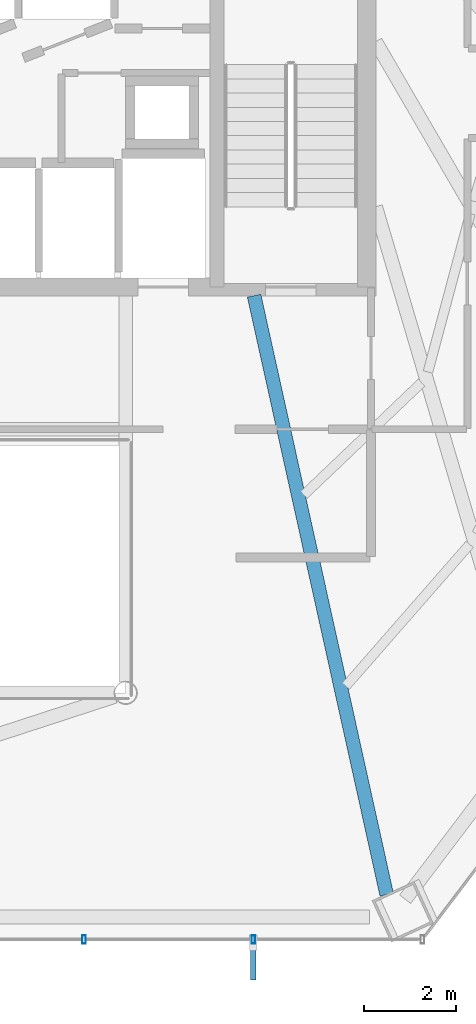
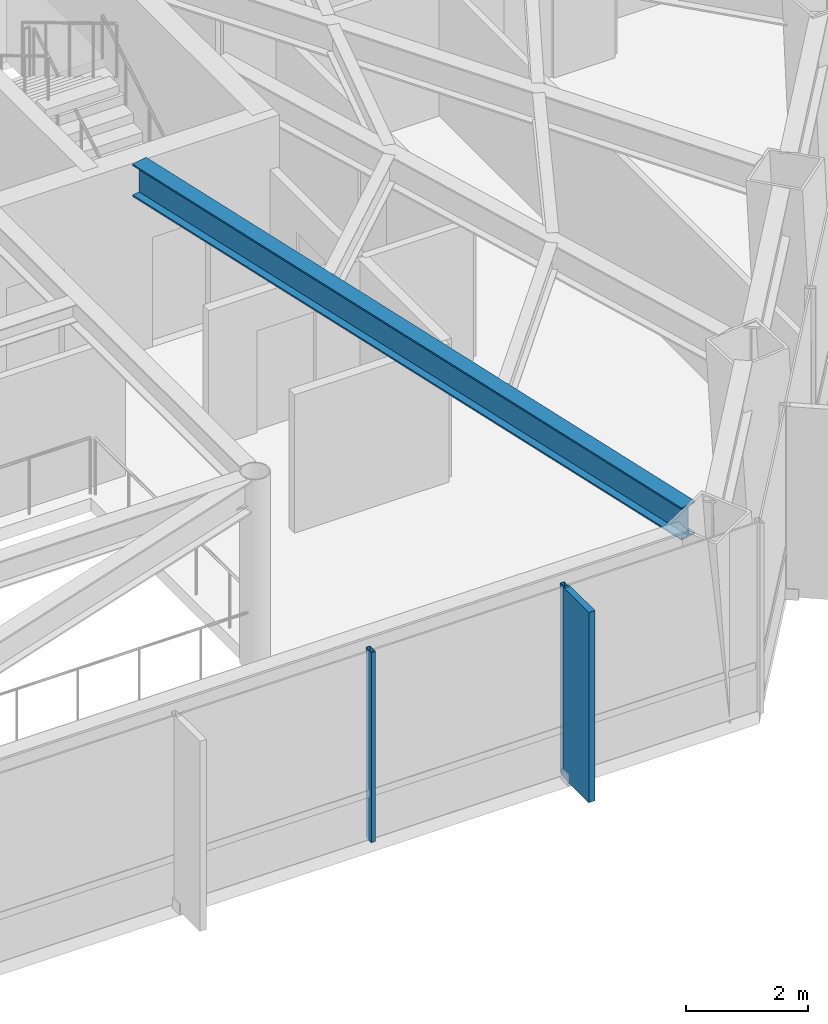
# One storey, part 10 of 27: 3 members, 1 beam, 1 element without a shape of its own.
"""IFC4 building model written with IfcOpenShell, lengths in metres."""

from ifc_helpers import new_model, si_unit, direction, frame, origin, origin_2d, place, context, subcontext, project, spatial, rectangle, hollow_rectangle, i_section, extrude, material, layer, layer_set, material_profile, profile_set, type_object, element, aggregate, save


model = new_model("IFC4")

# Units and contexts
model_context = context("Model", 3, precision=1e-05, world=origin(), true_north=direction((0.0, 1.0)))
body_context = subcontext(model_context, "Body", "Model", "MODEL_VIEW")
ifc_project = project(units=[si_unit("LENGTHUNIT", "METRE"), si_unit("AREAUNIT", "SQUARE_METRE"), si_unit("VOLUMEUNIT", "CUBIC_METRE"), si_unit("PLANEANGLEUNIT", "RADIAN"), si_unit("MASSUNIT", "GRAM", prefix="KILO")], contexts=[model_context])

# Site, building, storey
site_placement = place(None, origin())
site = spatial("IfcSite", under=ifc_project, at=site_placement, CompositionType="ELEMENT")
building_placement = place(site_placement, origin())
building = spatial("IfcBuilding", under=site, at=building_placement, Name="Zarrinselat Tower", CompositionType="ELEMENT")
storey_placement = place(building_placement, frame((0.0, 0.0, 47.93994140625)))
storey = spatial("IfcBuildingStorey", under=building, at=storey_placement, Name="L11", CompositionType="ELEMENT", Elevation=47.93994140625)

# Beam
ifc_material_1 = material(Name="Steel S355J2", Category="steel")
ifc_material_profile_1 = material_profile(ifc_material_1, i_section(OverallWidth=0.300048828125, OverallDepth=0.64990234375, WebThickness=0.01611328125, FlangeThickness=0.031005859375, at=origin_2d()), Name="HEB 650")
ifc_profile_set_1 = profile_set([ifc_material_profile_1], Name="Steel S355J2")
beam_type = type_object("IfcBeamType", Name="BM-HEB650", PredefinedType="BEAM", material=ifc_profile_set_1)
beam_placement = place(storey_placement, frame((45.800048828125, 33.06005859375, 3.4951171875), z_axis=(0.216165007623, -0.976356845359, 0.0), x_axis=(0.976356845359, 0.216165007623, 0.0)))
element("IfcBeam", 1, at=beam_placement, inside=storey, type_object=beam_type, Name="L11 Radial Primary Girder RG11", PredefinedType="BEAM", context=body_context, shape_type="SweptSolid", body=[
    extrude(i_section(OverallWidth=0.300048828125, OverallDepth=0.64990234375, WebThickness=0.01611328125, FlangeThickness=0.031005859375, at=origin_2d()), origin(), (0.0, 0.0, 1.0), 13.37451171875),
])

# Curtain wall, members
ifc_material_2 = material(Name="Extruded Aluminium Alloy EN AW-6063 T6", Category="aluminium")
ifc_layer = layer(ifc_material_2, 0.18505859375)
ifc_layer_set = layer_set([ifc_layer], Name="Extruded Aluminium Alloy EN AW-6063 T6")
curtain_wall_type = type_object("IfcCurtainWallType", Name="CWS-OFF", PredefinedType="NOTDEFINED", material=ifc_layer_set)
curtain_wall_placement = place(storey_placement, origin())
curtain_wall = element("IfcCurtainWall", 2, at=curtain_wall_placement, inside=storey, type_object=curtain_wall_type, Name="L11 Unitised Curtain Wall CW-L11-E04", PredefinedType="NOTDEFINED")
ifc_material_3 = material(Name="Extruded Aluminium Alloy EN AW-6063 T6", Category="aluminium")
ifc_material_profile_2 = material_profile(ifc_material_3, hollow_rectangle(XDim=0.080078125, YDim=0.179931640625, WallThickness=0.0048828125, at=origin_2d()), Name="RHS 180x80x5")
ifc_profile_set_2 = profile_set([ifc_material_profile_2], Name="Extruded Aluminium Alloy EN AW-6063 T6")
member_type_1 = type_object("IfcMemberType", Name="MEM-CW-MUL", PredefinedType="MULLION", material=ifc_profile_set_2)
member_1_placement = place(storey_placement, frame((42.091552734375, 19.02294921875, 0.0), z_axis=(0.0, 0.0, 1.0), x_axis=(1.0, 0.0, 0.0)))
member_1 = element("IfcMember", 3, at=member_1_placement, type_object=member_type_1, Name="CW-L11-E04 Mullion 4", PredefinedType="MULLION", context=body_context, shape_type="SweptSolid", body=[
    extrude(hollow_rectangle(XDim=0.080078125, YDim=0.179931640625, WallThickness=0.0048828125, at=origin_2d()), origin(), (0.0, 0.0, 1.0), 3.820068359375),
])
member_2_placement = place(storey_placement, frame((45.783203125, 19.02294921875, 0.0), z_axis=(0.0, 0.0, 1.0), x_axis=(1.0, 0.0, 0.0)))
member_2 = element("IfcMember", 4, at=member_2_placement, type_object=member_type_1, Name="CW-L11-E04 Mullion 5", PredefinedType="MULLION", context=body_context, shape_type="SweptSolid", body=[
    extrude(hollow_rectangle(XDim=0.080078125, YDim=0.179931640625, WallThickness=0.0048828125, at=origin_2d()), origin(), (0.0, 0.0, 1.0), 3.820068359375),
])
ifc_material_4 = material(Name="Honed Cream Travertine Stone", Category="masonry")
ifc_material_profile_3 = material_profile(ifc_material_4, rectangle(XDim=0.1201171875, YDim=0.85009765625, at=origin_2d()), Name="FIN 850x120")
ifc_profile_set_3 = profile_set([ifc_material_profile_3], Name="Honed Cream Travertine Stone")
member_type_2 = type_object("IfcMemberType", Name="MEM-STONE-FIN", PredefinedType="USERDEFINED", material=ifc_profile_set_3)
member_3_placement = place(storey_placement, frame((45.783203125, 18.56298828125, 0.0), z_axis=(0.0, 0.0, 1.0), x_axis=(-1.0, 0.0, 0.0)))
member_3 = element("IfcMember", 5, at=member_3_placement, type_object=member_type_2, Name="L11 Stone Shading Fin CW-L11-E04-05", ObjectType="FIN", PredefinedType="USERDEFINED", context=body_context, shape_type="SweptSolid", body=[
    extrude(rectangle(XDim=0.1201171875, YDim=0.85009765625, at=origin_2d()), origin(), (0.0, 0.0, 1.0), 3.820068359375),
])
aggregate(curtain_wall, [member_1, member_2, member_3])

save(model, "model.ifc")
